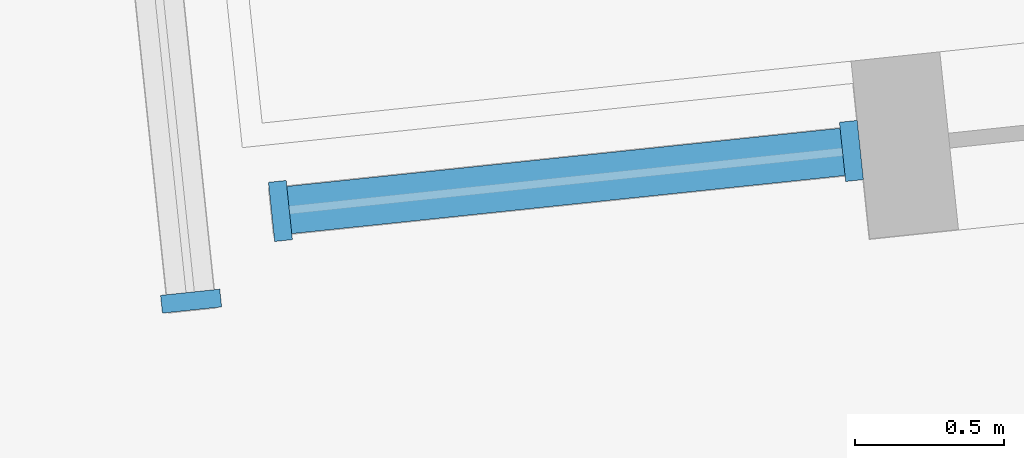
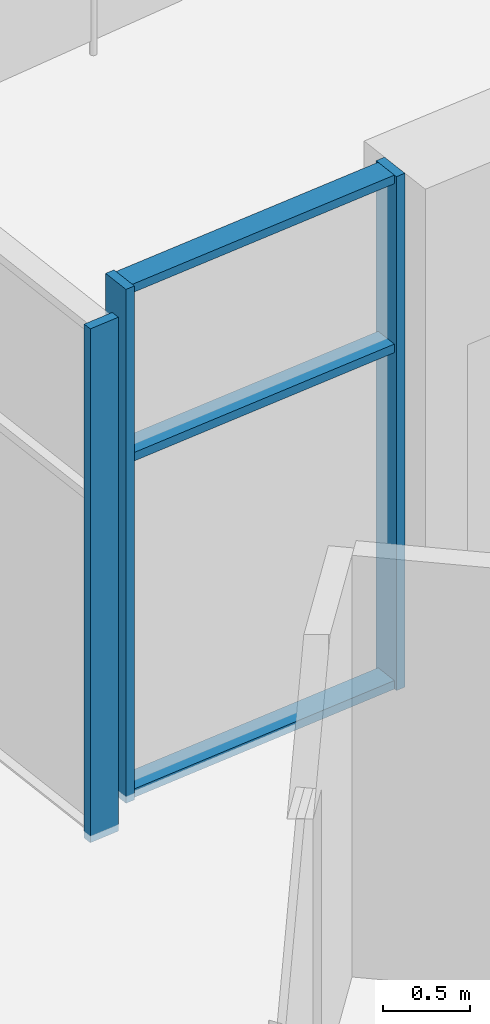
# One storey, part 2 of 14: 6 members, 2 elements without a shape of their own.
"""IFC4 building model written with IfcOpenShell, lengths in metres."""

from ifc_helpers import new_model, si_unit, direction, frame, origin, origin_2d, place, context, subcontext, project, spatial, rectangle, extrude, material, material_profile, profile_set, type_object, element, aggregate, save


model = new_model("IFC4")

# Units and contexts
model_context = context("Model", 3, precision=1e-05, world=origin(), true_north=direction((0.0, 1.0)))
body_context = subcontext(model_context, "Body", "Model", "MODEL_VIEW")
ifc_project = project(units=[si_unit("LENGTHUNIT", "METRE"), si_unit("AREAUNIT", "SQUARE_METRE"), si_unit("VOLUMEUNIT", "CUBIC_METRE"), si_unit("PLANEANGLEUNIT", "RADIAN"), si_unit("MASSUNIT", "GRAM", prefix="KILO")], contexts=[model_context])

# Site, building, storey
site_placement = place(None, origin())
site = spatial("IfcSite", under=ifc_project, at=site_placement, CompositionType="ELEMENT")
building_placement = place(site_placement, origin())
building = spatial("IfcBuilding", under=site, at=building_placement, Name="Dilmun Exchange Tower", CompositionType="ELEMENT")
storey_placement = place(building_placement, frame((0.0, 0.0, 233.300048828125)))
storey = spatial("IfcBuildingStorey", under=building, at=storey_placement, Name="L55", CompositionType="ELEMENT", Elevation=233.300048828125)

# Curtain wall, members
ifc_material_1 = material(Name="Anodised aluminium and clear glass", Category="aluminium")
curtain_wall_type = type_object("IfcCurtainWallType", Name="Garden corner glazing", PredefinedType="NOTDEFINED", material=ifc_material_1)
curtain_wall_1_placement = place(storey_placement, origin())
curtain_wall_1 = element("IfcCurtainWall", 1, at=curtain_wall_1_placement, inside=storey, type_object=curtain_wall_type, Name="Garden corner glazing run GC2.3", PredefinedType="NOTDEFINED")
ifc_material_2 = material(Name="Anodised aluminium", Category="aluminium")
ifc_material_profile_1 = material_profile(ifc_material_2, rectangle(XDim=0.199951171875, YDim=0.06005859375, at=origin_2d()), Name="AL 60x200")
ifc_profile_set_1 = profile_set([ifc_material_profile_1], Name="Anodised aluminium")
member_type_1 = type_object("IfcMemberType", Name="Garden corner glazing mullion 60 x 200", PredefinedType="MULLION", material=ifc_profile_set_1)
member_1_placement = place(storey_placement, frame((-1.4404296875, 29.06396484375, 0.0), z_axis=(0.0, 0.0, 1.0), x_axis=(0.104519911481, -0.99452279416, 0.0)))
member_1 = element("IfcMember", 2, at=member_1_placement, type_object=member_type_1, Name="GC2.3 mullion 1", PredefinedType="MULLION", context=body_context, shape_type="SweptSolid", body=[
    extrude(rectangle(XDim=0.199951171875, YDim=0.06005859375, at=origin_2d()), origin(), (0.0, 0.0, 1.0), 3.619873046875),
])
member_2_placement = place(storey_placement, frame((-3.35888671875, 28.8623046875, 0.0), z_axis=(0.0, 0.0, 1.0), x_axis=(0.104519911481, -0.99452279416, 0.0)))
member_2 = element("IfcMember", 3, at=member_2_placement, type_object=member_type_1, Name="GC2.3 mullion 2", PredefinedType="MULLION", context=body_context, shape_type="SweptSolid", body=[
    extrude(rectangle(XDim=0.199951171875, YDim=0.06005859375, at=origin_2d()), origin(), (0.0, 0.0, 1.0), 3.619873046875),
])

# Curtain wall, member
curtain_wall_2_placement = place(storey_placement, origin())
curtain_wall_2 = element("IfcCurtainWall", 4, at=curtain_wall_2_placement, inside=storey, type_object=curtain_wall_type, Name="Garden corner glazing run GC3.1", PredefinedType="NOTDEFINED")
member_3_placement = place(storey_placement, frame((-3.658935546875, 28.559326171875, 0.0), z_axis=(0.0, 0.0, 1.0), x_axis=(-0.994520705874, -0.104539779931, 0.0)))
member_3 = element("IfcMember", 5, at=member_3_placement, type_object=member_type_1, Name="GC3.1 mullion 1", PredefinedType="MULLION", context=body_context, shape_type="SweptSolid", body=[
    extrude(rectangle(XDim=0.199951171875, YDim=0.06005859375, at=origin_2d()), origin(), (0.0, 0.0, 1.0), 3.619873046875),
])
aggregate(curtain_wall_2, [member_3])

# Member
ifc_material_profile_2 = material_profile(ifc_material_2, rectangle(XDim=0.159912109375, YDim=0.06005859375, at=origin_2d()), Name="AL 60x160")
ifc_profile_set_2 = profile_set([ifc_material_profile_2], Name="Anodised aluminium")
member_type_2 = type_object("IfcMemberType", Name="Garden corner glazing transom 60 x 160", PredefinedType="USERDEFINED", material=ifc_profile_set_2)
member_4_placement = place(storey_placement, frame((-1.47021484375, 29.060791015625, 0.030029296875), z_axis=(-0.994525474721, -0.104494402387, 0.0), x_axis=(0.104494402387, -0.994525474721, 0.0)))
member_4 = element("IfcMember", 6, at=member_4_placement, type_object=member_type_2, Name="GC2.3 transom 1.1", ObjectType="TRANSOM", PredefinedType="USERDEFINED", context=body_context, shape_type="SweptSolid", body=[
    extrude(rectangle(XDim=0.159912109375, YDim=0.06005859375, at=origin_2d()), origin(), (0.0, 0.0, 1.0), 1.869140625),
])

member_5_placement = place(storey_placement, frame((-1.47021484375, 29.060791015625, 2.39990234375), z_axis=(-0.994525474721, -0.104494402387, 0.0), x_axis=(0.104494402387, -0.994525474721, 0.0)))
member_5 = element("IfcMember", 7, at=member_5_placement, type_object=member_type_2, Name="GC2.3 transom 1.2", ObjectType="TRANSOM", PredefinedType="USERDEFINED", context=body_context, shape_type="SweptSolid", body=[
    extrude(rectangle(XDim=0.159912109375, YDim=0.06005859375, at=origin_2d()), origin(), (0.0, 0.0, 1.0), 1.869140625),
])

member_6_placement = place(storey_placement, frame((-1.47021484375, 29.060791015625, 3.58984375), z_axis=(-0.994525474721, -0.104494402387, 0.0), x_axis=(0.104494402387, -0.994525474721, 0.0)))
member_6 = element("IfcMember", 8, at=member_6_placement, type_object=member_type_2, Name="GC2.3 transom 1.3", ObjectType="TRANSOM", PredefinedType="USERDEFINED", context=body_context, shape_type="SweptSolid", body=[
    extrude(rectangle(XDim=0.159912109375, YDim=0.06005859375, at=origin_2d()), origin(), (0.0, 0.0, 1.0), 1.869140625),
])

aggregate(curtain_wall_1, [member_1, member_2, member_4, member_5, member_6])

save(model, "model.ifc")
